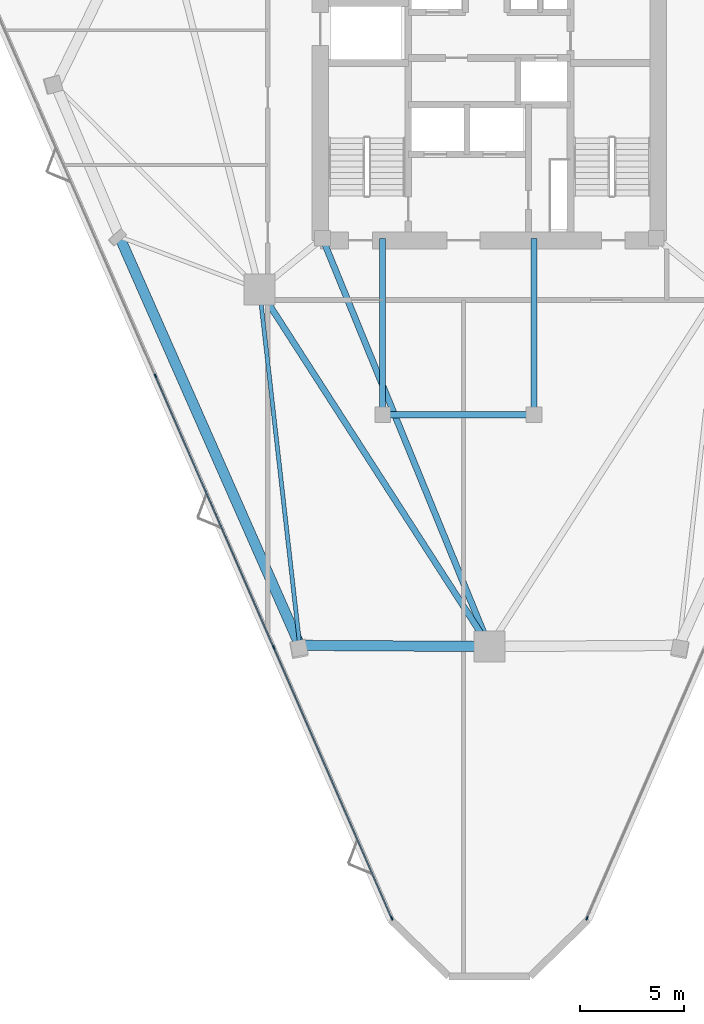
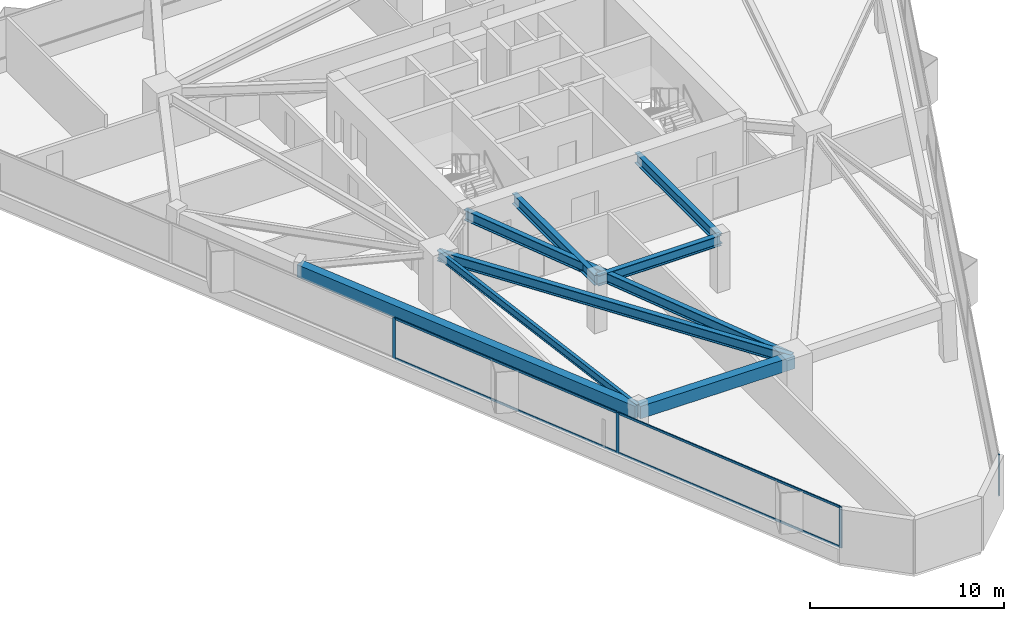
# One storey, part 2 of 11: 8 beams, 8 members, 2 elements without a shape of their own.
"""IFC4 building model written with IfcOpenShell, lengths in metres."""

from ifc_helpers import new_model, si_unit, direction, frame, origin, origin_2d, place, context, subcontext, project, spatial, rectangle, i_section, extrude, material, layer, layer_set, material_profile, profile_set, type_object, element, aggregate, save


model = new_model("IFC4")

# Units and contexts
model_context = context("Model", 3, precision=1e-05, world=origin(), true_north=direction((0.0, 1.0)))
body_context = subcontext(model_context, "Body", "Model", "MODEL_VIEW")
ifc_project = project(units=[si_unit("LENGTHUNIT", "METRE"), si_unit("AREAUNIT", "SQUARE_METRE"), si_unit("VOLUMEUNIT", "CUBIC_METRE"), si_unit("PLANEANGLEUNIT", "RADIAN"), si_unit("MASSUNIT", "GRAM", prefix="KILO")], contexts=[model_context])

# Site, building, storey
site_placement = place(None, origin())
site = spatial("IfcSite", under=ifc_project, at=site_placement, CompositionType="ELEMENT")
building_placement = place(site_placement, origin())
building = spatial("IfcBuilding", under=site, at=building_placement, Name="Talyreon Biosciences Tower", CompositionType="ELEMENT")
storey_placement = place(building_placement, frame((0.0, 0.0, 160.050048828125)))
storey = spatial("IfcBuildingStorey", under=building, at=storey_placement, Name="L42", CompositionType="ELEMENT", Elevation=160.050048828125)

# Curtain wall, members
ifc_material_1 = material(Name="Thermally broken aluminium and low-E glazing", Category="aluminium")
ifc_layer = layer(ifc_material_1, 0.18505859375)
ifc_layer_set = layer_set([ifc_layer], Name="Thermally broken aluminium and low-E glazing")
curtain_wall_type = type_object("IfcCurtainWallType", Name="CurtainWall_Zone3Bioprocess", PredefinedType="NOTDEFINED", material=ifc_layer_set)
curtain_wall_1_placement = place(storey_placement, origin())
curtain_wall_1 = element("IfcCurtainWall", 1, at=curtain_wall_1_placement, inside=storey, type_object=curtain_wall_type, Name="L42 Unitised Curtain Wall FCW-L42-00", PredefinedType="NOTDEFINED")
ifc_material_2 = material(Name="Anodised thermally broken aluminium", Category="aluminium")
ifc_material_profile_1 = material_profile(ifc_material_2, rectangle(XDim=0.06494140625, YDim=0.179931640625, at=origin_2d()), Name="ALUM MULLION 65x180")
ifc_profile_set_1 = profile_set([ifc_material_profile_1], Name="Anodised thermally broken aluminium")
member_type_1 = type_object("IfcMemberType", Name="CWMullion_65x180", PredefinedType="MULLION", material=ifc_profile_set_1)
member_1_placement = place(storey_placement, frame((61.293212890625, 28.556640625, 0.81005859375), z_axis=(0.0, 0.0, 1.0), x_axis=(-0.916731187474, -0.399504605621, 0.0)))
member_1 = element("IfcMember", 2, at=member_1_placement, type_object=member_type_1, Name="CW4 mullion 1", PredefinedType="MULLION", context=body_context, shape_type="SweptSolid", body=[
    extrude(rectangle(XDim=0.06494140625, YDim=0.179931640625, at=origin_2d()), origin(), (0.0, 0.0, 1.0), 2.56494140625),
])
member_2_placement = place(storey_placement, frame((55.599609375, 41.6220703125, 0.81005859375), z_axis=(0.0, 0.0, 1.0), x_axis=(-0.916731187474, -0.399504605621, 0.0)))
member_2 = element("IfcMember", 3, at=member_2_placement, type_object=member_type_1, Name="CW4 mullion 2", PredefinedType="MULLION", context=body_context, shape_type="SweptSolid", body=[
    extrude(rectangle(XDim=0.06494140625, YDim=0.179931640625, at=origin_2d()), origin(), (0.0, 0.0, 1.0), 2.56494140625),
])
member_3_placement = place(storey_placement, frame((49.892822265625, 54.717041015625, 0.81005859375), z_axis=(0.0, 0.0, 1.0), x_axis=(-0.916731187474, -0.399504605621, 0.0)))
member_3 = element("IfcMember", 4, at=member_3_placement, type_object=member_type_1, Name="CW4 mullion 3", PredefinedType="MULLION", context=body_context, shape_type="SweptSolid", body=[
    extrude(rectangle(XDim=0.06494140625, YDim=0.179931640625, at=origin_2d()), origin(), (0.0, 0.0, 1.0), 2.56494140625),
])

# Curtain wall, member
curtain_wall_2_placement = place(storey_placement, origin())
curtain_wall_2 = element("IfcCurtainWall", 5, at=curtain_wall_2_placement, inside=storey, type_object=curtain_wall_type, Name="L42 Unitised Curtain Wall FCW-L42-08", PredefinedType="NOTDEFINED")
member_4_placement = place(storey_placement, frame((70.706787109375, 28.556640625, 0.81005859375), z_axis=(0.0, 0.0, 1.0), x_axis=(0.916731187474, -0.399504605621, 0.0)))
member_4 = element("IfcMember", 6, at=member_4_placement, type_object=member_type_1, Name="CW4 mullion 5", PredefinedType="MULLION", context=body_context, shape_type="SweptSolid", body=[
    extrude(rectangle(XDim=0.06494140625, YDim=0.179931640625, at=origin_2d()), origin(), (0.0, 0.0, 1.0), 2.56494140625),
])
aggregate(curtain_wall_2, [member_4])

# Member
ifc_material_profile_2 = material_profile(ifc_material_2, rectangle(XDim=0.06494140625, YDim=0.139892578125, at=origin_2d()), Name="ALUM TRANSOM 65x140")
ifc_profile_set_2 = profile_set([ifc_material_profile_2], Name="Anodised thermally broken aluminium")
member_type_2 = type_object("IfcMemberType", Name="CWTransom_65x140", PredefinedType="USERDEFINED", material=ifc_profile_set_2)
member_5_placement = place(storey_placement, frame((61.2802734375, 28.58642578125, 0.842529296875), z_axis=(-0.399503101725, 0.916731842859, 0.0), x_axis=(-0.916731842859, -0.399503101725, 0.0)))
member_5 = element("IfcMember", 7, at=member_5_placement, type_object=member_type_2, Name="CW4 transom 1.1", ObjectType="TRANSOM", PredefinedType="USERDEFINED", context=body_context, shape_type="SweptSolid", body=[
    extrude(rectangle(XDim=0.06494140625, YDim=0.139892578125, at=origin_2d()), origin(), (0.0, 0.0, 1.0), 14.18701171875),
])

member_6_placement = place(storey_placement, frame((61.2802734375, 28.58642578125, 3.342529296875), z_axis=(-0.399503101725, 0.916731842859, 0.0), x_axis=(-0.916731842859, -0.399503101725, 0.0)))
member_6 = element("IfcMember", 8, at=member_6_placement, type_object=member_type_2, Name="CW4 transom 1.2", ObjectType="TRANSOM", PredefinedType="USERDEFINED", context=body_context, shape_type="SweptSolid", body=[
    extrude(rectangle(XDim=0.06494140625, YDim=0.139892578125, at=origin_2d()), origin(), (0.0, 0.0, 1.0), 14.18701171875),
])

member_7_placement = place(storey_placement, frame((55.586669921875, 41.65185546875, 0.842529296875), z_axis=(-0.39951512908, 0.916726601357, 0.0), x_axis=(-0.916726601357, -0.39951512908, 0.0)))
member_7 = element("IfcMember", 9, at=member_7_placement, type_object=member_type_2, Name="CW4 transom 2.1", ObjectType="TRANSOM", PredefinedType="USERDEFINED", context=body_context, shape_type="SweptSolid", body=[
    extrude(rectangle(XDim=0.06494140625, YDim=0.139892578125, at=origin_2d()), origin(), (0.0, 0.0, 1.0), 14.219482421875),
])

member_8_placement = place(storey_placement, frame((55.586669921875, 41.65185546875, 3.342529296875), z_axis=(-0.39951512908, 0.916726601357, 0.0), x_axis=(-0.916726601357, -0.39951512908, 0.0)))
member_8 = element("IfcMember", 10, at=member_8_placement, type_object=member_type_2, Name="CW4 transom 2.2", ObjectType="TRANSOM", PredefinedType="USERDEFINED", context=body_context, shape_type="SweptSolid", body=[
    extrude(rectangle(XDim=0.06494140625, YDim=0.139892578125, at=origin_2d()), origin(), (0.0, 0.0, 1.0), 14.219482421875),
])

aggregate(curtain_wall_1, [member_1, member_2, member_3, member_5, member_6, member_7, member_8])

# Beams
ifc_material_3 = material(Name="Precast concrete C45/55", Category="concrete")
ifc_material_profile_3 = material_profile(ifc_material_3, rectangle(XDim=0.5, YDim=0.780029296875, at=origin_2d()), Name="RCB 500x780")
ifc_profile_set_3 = profile_set([ifc_material_profile_3], Name="Precast concrete C45/55")
beam_type_1 = type_object("IfcBeamType", Name="ExpressedSpandrel_500x780", PredefinedType="SPANDREL", material=ifc_profile_set_3)
beam_1_placement = place(storey_placement, frame((48.159423828125, 61.428466796875, 2.98486328125), z_axis=(0.403692674285, -0.914894652257, 0.0), x_axis=(0.914894652257, 0.403692674285, 0.0)))
element("IfcBeam", 11, at=beam_1_placement, inside=storey, type_object=beam_type_1, Name="L42 Expressed Horizontal Concrete Spandrel 11", PredefinedType="SPANDREL", context=body_context, shape_type="SweptSolid", body=[
    extrude(rectangle(XDim=0.5, YDim=0.780029296875, at=origin_2d()), origin(), (0.0, 0.0, 1.0), 21.537109375),
])
beam_2_placement = place(storey_placement, frame((56.853759765625, 41.724365234375, 2.98486328125), z_axis=(0.99998032622, -0.006272732474, 0.0), x_axis=(0.006272732474, 0.99998032622, 0.0)))
element("IfcBeam", 12, at=beam_2_placement, inside=storey, type_object=beam_type_1, Name="L42 Expressed Horizontal Concrete Spandrel 12", PredefinedType="SPANDREL", context=body_context, shape_type="SweptSolid", body=[
    extrude(rectangle(XDim=0.5, YDim=0.780029296875, at=origin_2d()), origin(), (0.0, 0.0, 1.0), 9.146484375),
])
ifc_material_4 = material(Name="Steel SM355", Category="steel")
ifc_material_profile_4 = material_profile(ifc_material_4, i_section(OverallWidth=0.300048828125, OverallDepth=0.64990234375, WebThickness=0.01611328125, FlangeThickness=0.031005859375, FilletRadius=0.027099609375, at=origin_2d()), Name="HE650B")
ifc_profile_set_4 = profile_set([ifc_material_profile_4], Name="Steel SM355")
beam_type_2 = type_object("IfcBeamType", Name="SteelBeam_HE650B", PredefinedType="BEAM", material=ifc_profile_set_4)
beam_3_placement = place(storey_placement, frame((54.913818359375, 58.88037109375, 3.050048828125), z_axis=(0.541463723609, -0.840724114092, 0.0), x_axis=(0.840724114092, 0.541463723609, 0.0)))
element("IfcBeam", 13, at=beam_3_placement, inside=storey, type_object=beam_type_2, Name="L42 Mega-Ring Girder 6", PredefinedType="BEAM", context=body_context, shape_type="SweptSolid", body=[
    extrude(i_section(OverallWidth=0.300048828125, OverallDepth=0.64990234375, WebThickness=0.01611328125, FlangeThickness=0.031005859375, FilletRadius=0.027099609375, at=origin_2d()), origin(), (0.0, 0.0, 1.0), 20.474365234375),
])
beam_4_placement = place(storey_placement, frame((57.949951171875, 61.35009765625, 3.050048828125), z_axis=(0.378547014545, -0.925582064314, 0.0), x_axis=(0.925582064314, 0.378547014545, 0.0)))
element("IfcBeam", 14, at=beam_4_placement, inside=storey, type_object=beam_type_2, Name="L42 Radial Primary Girder 1", PredefinedType="BEAM", context=body_context, shape_type="SweptSolid", body=[
    extrude(i_section(OverallWidth=0.300048828125, OverallDepth=0.64990234375, WebThickness=0.01611328125, FlangeThickness=0.031005859375, FilletRadius=0.027099609375, at=origin_2d()), origin(), (0.0, 0.0, 1.0), 21.265625),
])
beam_5_placement = place(storey_placement, frame((60.85009765625, 52.840087890625, 3.050048828125), z_axis=(1.0, 0.0, 0.0), x_axis=(0.0, 1.0, 0.0)))
element("IfcBeam", 15, at=beam_5_placement, inside=storey, type_object=beam_type_2, Name="L42 Crown Shaft Spine Girder S", PredefinedType="BEAM", context=body_context, shape_type="SweptSolid", body=[
    extrude(i_section(OverallWidth=0.300048828125, OverallDepth=0.64990234375, WebThickness=0.01611328125, FlangeThickness=0.031005859375, FilletRadius=0.027099609375, at=origin_2d()), origin(), (0.0, 0.0, 1.0), 7.2998046875),
])
for number, where, z_axis, x_axis, name in (
    (16, (60.85009765625, 52.840087890625, 3.050048828125), (0.0, 1.0, 0.0), (-1.0, 0.0, 0.0), "L42 Crown Shaft Tie Girder W"),
    (17, (68.14990234375, 52.840087890625, 3.050048828125), (0.0, 1.0, 0.0), (-1.0, 0.0, 0.0), "L42 Crown Shaft Tie Girder E"),
):
    element("IfcBeam", number, at=place(storey_placement, frame(where, z_axis=z_axis, x_axis=x_axis)), inside=storey, type_object=beam_type_2, Name=name, PredefinedType="BEAM", context=body_context, shape_type="SweptSolid", body=[
        extrude(i_section(OverallWidth=0.300048828125, OverallDepth=0.64990234375, WebThickness=0.01611328125, FlangeThickness=0.031005859375, FilletRadius=0.027099609375, at=origin_2d()), origin(), (0.0, 0.0, 1.0), 8.510009765625),
    ])
ifc_material_profile_5 = material_profile(ifc_material_4, i_section(OverallWidth=0.199951171875, OverallDepth=0.5, WebThickness=0.01025390625, FlangeThickness=0.01611328125, FilletRadius=0.02099609375, at=origin_2d()), Name="IPE500")
ifc_profile_set_5 = profile_set([ifc_material_profile_5], Name="Steel SM355")
beam_type_3 = type_object("IfcBeamType", Name="SteelJoist_IPE500", PredefinedType="JOIST", material=ifc_profile_set_5)
beam_6_placement = place(storey_placement, frame((54.913818359375, 58.88037109375, 3.125), z_axis=(0.112360462476, -0.993667513041, 0.0), x_axis=(0.993667513041, 0.112360462476, 0.0)))
element("IfcBeam", 18, at=beam_6_placement, inside=storey, type_object=beam_type_3, Name="L42 Radial Composite Floor Joist PC-SW2", PredefinedType="JOIST", context=body_context, shape_type="SweptSolid", body=[
    extrude(i_section(OverallWidth=0.199951171875, OverallDepth=0.5, WebThickness=0.01025390625, FlangeThickness=0.01611328125, FilletRadius=0.02099609375, at=origin_2d()), origin(), (0.0, 0.0, 1.0), 17.265380859375),
])

save(model, "model.ifc")
